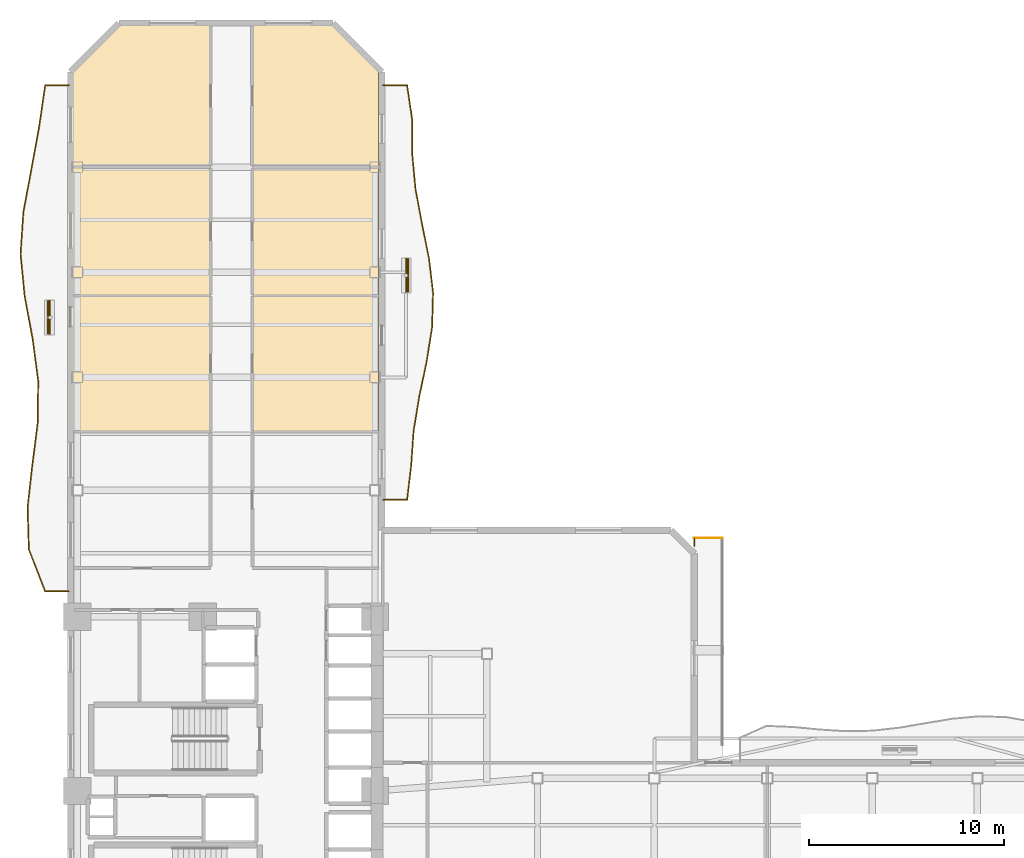
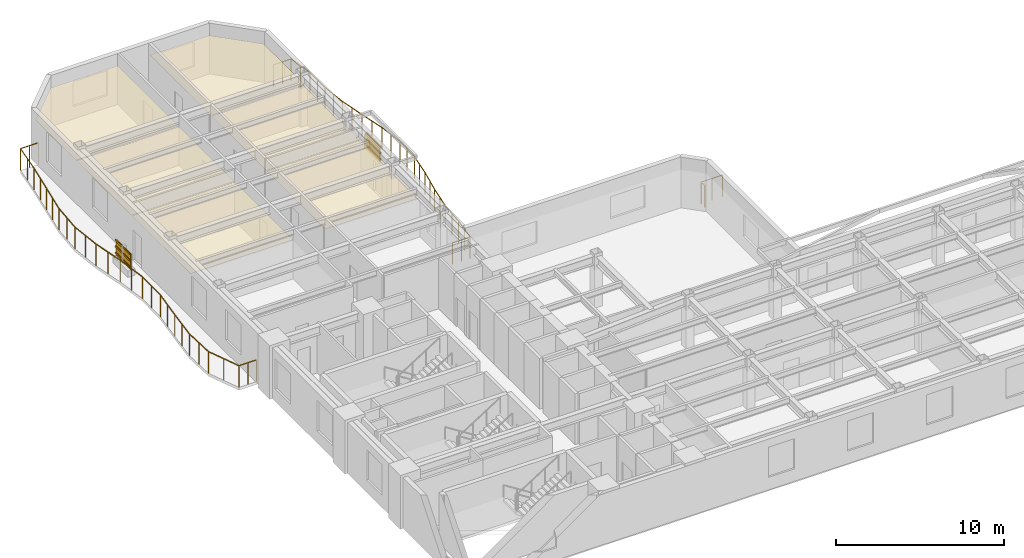
# One storey, part 10 of 10: 8 shading devices, 6 coverings, 4 railings.
"""IFC4 building model written with IfcOpenShell, lengths in metres."""

from ifc_helpers import new_model, si_unit, direction, frame, origin, origin_2d, place, context, subcontext, project, spatial, polyline, rectangle, outline, extrude, material, layer, layer_set, material_profile, profile_set, type_object, element, save


model = new_model("IFC4")

# Units and contexts
model_context = context("Model", 3, precision=1e-05, world=origin(), true_north=direction((0.0, 1.0)))
body_context = subcontext(model_context, "Body", "Model", "MODEL_VIEW")
ifc_project = project(units=[si_unit("LENGTHUNIT", "METRE"), si_unit("AREAUNIT", "SQUARE_METRE"), si_unit("VOLUMEUNIT", "CUBIC_METRE"), si_unit("PLANEANGLEUNIT", "RADIAN"), si_unit("MASSUNIT", "GRAM", prefix="KILO")], contexts=[model_context])

# Site, building, storey
site_placement = place(None, origin())
site = spatial("IfcSite", under=ifc_project, at=site_placement, CompositionType="ELEMENT")
building_placement = place(site_placement, origin())
building = spatial("IfcBuilding", under=site, at=building_placement, Name="Mawjaban Terraces University", CompositionType="ELEMENT")
storey_placement = place(building_placement, frame((0.0, 0.0, 42.699951171875)))
storey = spatial("IfcBuildingStorey", under=building, at=storey_placement, Name="L09", CompositionType="ELEMENT", Elevation=42.699951171875)

# Coverings
ifc_material_1 = material(Name="Acoustic mineral fibre ceiling tile", Category="masonry")
ifc_layer_1 = layer(ifc_material_1, 0.02001953125)
ifc_layer_set_1 = layer_set([ifc_layer_1], Name="Acoustic mineral fibre ceiling tile")
covering_type = type_object("IfcCoveringType", Name="AcousticMineralCeiling_20", PredefinedType="CEILING", material=ifc_layer_set_1)
covering_1_placement = place(storey_placement, frame((0.0, 0.0, 2.75)))
element("IfcCovering", 1, at=covering_1_placement, inside=storey, type_object=covering_type, Name="L09 Faculty Office 8 Acoustic Ceiling", PredefinedType="CEILING", context=body_context, shape_type="SweptSolid", body=[
    extrude(outline(polyline([(22.114990234375, 39.969970703125), (22.114990234375, 33.030029296875), (29.169921875, 33.030029296875), (29.169921875, 39.969970703125), (22.114990234375, 39.969970703125)])), origin(), (0.0, 0.0, 1.0), 0.02001953125),
])
covering_2_placement = place(storey_placement, frame((0.0, 0.0, 2.75)))
element("IfcCovering", 2, at=covering_2_placement, inside=storey, type_object=covering_type, Name="L09 Departmental Office 9 Acoustic Ceiling", PredefinedType="CEILING", context=body_context, shape_type="SweptSolid", body=[
    extrude(outline(polyline([(37.820068359375, 33.030029296875), (37.820068359375, 39.969970703125), (31.3798828125, 39.969970703125), (31.3798828125, 33.030029296875), (37.820068359375, 33.030029296875)])), origin(), (0.0, 0.0, 1.0), 0.02001953125),
])
covering_3_placement = place(storey_placement, frame((0.0, 0.0, 2.75)))
element("IfcCovering", 3, at=covering_3_placement, inside=storey, type_object=covering_type, Name="L09 Faculty Office 10 Acoustic Ceiling", PredefinedType="CEILING", context=body_context, shape_type="SweptSolid", body=[
    extrude(outline(polyline([(22.114990234375, 46.570068359375), (22.114990234375, 40.030029296875), (29.169921875, 40.030029296875), (29.169921875, 46.570068359375), (22.114990234375, 46.570068359375)])), origin(), (0.0, 0.0, 1.0), 0.02001953125),
])
covering_4_placement = place(storey_placement, frame((0.0, 0.0, 2.75)))
element("IfcCovering", 4, at=covering_4_placement, inside=storey, type_object=covering_type, Name="L09 Student Tea Pantry 11 Acoustic Ceiling", PredefinedType="CEILING", context=body_context, shape_type="SweptSolid", body=[
    extrude(outline(polyline([(37.820068359375, 40.030029296875), (37.820068359375, 46.570068359375), (31.3798828125, 46.570068359375), (31.3798828125, 40.030029296875), (37.820068359375, 40.030029296875)])), origin(), (0.0, 0.0, 1.0), 0.02001953125),
])
covering_5_placement = place(storey_placement, frame((0.0, 0.0, 2.75)))
element("IfcCovering", 5, at=covering_5_placement, inside=storey, type_object=covering_type, Name="L09 Teaching Laboratory 12 Acoustic Ceiling", PredefinedType="CEILING", context=body_context, shape_type="SweptSolid", body=[
    extrude(outline(polyline([(29.169921875, 53.885009765625), (24.547119140625, 53.885009765625), (22.114990234375, 51.452880859375), (22.114990234375, 46.6298828125), (29.169921875, 46.6298828125), (29.169921875, 53.885009765625)])), origin(), (0.0, 0.0, 1.0), 0.02001953125),
])
covering_6_placement = place(storey_placement, frame((0.0, 0.0, 2.75)))
element("IfcCovering", 6, at=covering_6_placement, inside=storey, type_object=covering_type, Name="L09 Design Studio 13 Acoustic Ceiling", PredefinedType="CEILING", context=body_context, shape_type="SweptSolid", body=[
    extrude(outline(polyline([(37.820068359375, 51.51806640625), (35.452880859375, 53.885009765625), (31.3798828125, 53.885009765625), (31.3798828125, 46.6298828125), (37.820068359375, 46.6298828125), (37.820068359375, 51.51806640625)])), origin(), (0.0, 0.0, 1.0), 0.02001953125),
])

# Railings
ifc_material_2 = material(Name="Galvanised powder-coated steel S355", Category="steel")
railing_type = type_object("IfcRailingType", Name="BalconyBalustrade_1600", PredefinedType="BALUSTRADE", material=ifc_material_2)
railing_1_placement = place(storey_placement, frame((21.919921875, 24.800048828125, 0.0)))
element("IfcRailing", 7, at=railing_1_placement, inside=storey, type_object=railing_type, Name="L09 Balcony Guardrail west", PredefinedType="BALUSTRADE", context=body_context, shape_type="SweptSolid", body=[
    extrude(rectangle(XDim=0.048095703125, YDim=0.048095703125, at=origin_2d()), frame((0.0, 0.0, 1.576171875), z_axis=(-1.0, 0.0, 0.0), x_axis=(0.0, -1.0, 0.0)), (0.0, 0.0, 1.0), 1.219970703125),
    extrude(rectangle(XDim=0.048095703125, YDim=0.048095703125, at=origin_2d()), frame((-1.219970703125, 0.0, 1.576171875), z_axis=(-0.361371301616, 0.932421998007, 0.0), x_axis=(-0.932421998007, -0.361371301616, 0.0)), (0.0, 0.0, 1.0), 2.323974609375),
    extrude(rectangle(XDim=0.048095703125, YDim=0.048095703125, at=origin_2d()), frame((-2.059814453125, 2.1669921875, 1.576171875), z_axis=(-0.029630806995, 0.999560911239, 0.0), x_axis=(-0.999560911239, -0.029630806995, 0.0)), (0.0, 0.0, 1.0), 2.1669921875),
    extrude(rectangle(XDim=0.048095703125, YDim=0.048095703125, at=origin_2d()), frame((-2.1240234375, 4.3330078125, 1.576171875), z_axis=(0.111955077603, 0.993713268805, 0.0), x_axis=(-0.993713268805, 0.111955077603, 0.0)), (0.0, 0.0, 1.0), 2.1806640625),
    extrude(rectangle(XDim=0.048095703125, YDim=0.048095703125, at=origin_2d()), frame((-1.8798828125, 6.5, 1.576171875), z_axis=(0.125850320584, 0.992049241121, 0.0), x_axis=(-0.992049241121, 0.125850320584, 0.0)), (0.0, 0.0, 1.0), 2.184326171875),
    extrude(rectangle(XDim=0.048095703125, YDim=0.048095703125, at=origin_2d()), frame((-1.60498046875, 8.6669921875, 1.576171875), z_axis=(0.011608775861, 0.999932615891, 0.0), x_axis=(-0.999932615891, 0.011608775861, 0.0)), (0.0, 0.0, 1.0), 2.166259765625),
    extrude(rectangle(XDim=0.048095703125, YDim=0.048095703125, at=origin_2d()), frame((-1.579833984375, 10.8330078125, 1.576171875), z_axis=(-0.132661087442, 0.991161458027, 0.0), x_axis=(-0.991161458027, -0.132661087442, 0.0)), (0.0, 0.0, 1.0), 2.186279296875),
    extrude(rectangle(XDim=0.048095703125, YDim=0.048095703125, at=origin_2d()), frame((-1.869873046875, 13.0, 1.576171875), z_axis=(-0.183726837055, 0.982977339182, 0.0), x_axis=(-0.982977339182, -0.183726837055, 0.0)), (0.0, 0.0, 1.0), 2.20458984375),
    extrude(rectangle(XDim=0.048095703125, YDim=0.048095703125, at=origin_2d()), frame((-2.27490234375, 15.1669921875, 1.576171875), z_axis=(-0.097370987251, 0.995248155407, 0.0), x_axis=(-0.995248155407, -0.097370987251, 0.0)), (0.0, 0.0, 1.0), 2.17626953125),
    extrude(rectangle(XDim=0.048095703125, YDim=0.048095703125, at=origin_2d()), frame((-2.48681640625, 17.3330078125, 1.576171875), z_axis=(0.06766788608, 0.99770790174, 0.0), x_axis=(-0.99770790174, 0.06766788608, 0.0)), (0.0, 0.0, 1.0), 2.171875),
    extrude(rectangle(XDim=0.048095703125, YDim=0.048095703125, at=origin_2d()), frame((-2.33984375, 19.5, 1.576171875), z_axis=(0.184154813787, 0.982897250255, 0.0), x_axis=(-0.982897250255, 0.184154813787, 0.0)), (0.0, 0.0, 1.0), 2.20458984375),
    extrude(rectangle(XDim=0.048095703125, YDim=0.048095703125, at=origin_2d()), frame((-1.933837890625, 21.6669921875, 1.576171875), z_axis=(0.179841551957, 0.983695591222, 0.0), x_axis=(-0.983695591222, 0.179841551957, 0.0)), (0.0, 0.0, 1.0), 2.201904296875),
    extrude(rectangle(XDim=0.048095703125, YDim=0.048095703125, at=origin_2d()), frame((-1.537841796875, 23.8330078125, 1.576171875), z_axis=(0.145134557046, 0.989411926526, 0.0), x_axis=(-0.989411926526, 0.145134557046, 0.0)), (0.0, 0.0, 1.0), 2.190185546875),
    extrude(rectangle(XDim=0.048095703125, YDim=0.048095703125, at=origin_2d()), frame((-1.219970703125, 26.0, 1.576171875), z_axis=(1.0, 0.0, 0.0), x_axis=(0.0, 1.0, 0.0)), (0.0, 0.0, 1.0), 1.219970703125),
    extrude(rectangle(XDim=0.0419921875, YDim=0.0419921875, at=origin_2d()), origin(), (0.0, 0.0, 1.0), 1.552001953125),
    extrude(rectangle(XDim=0.0419921875, YDim=0.0419921875, at=origin_2d()), frame((-0.60986328125, 0.0, 0.0)), (0.0, 0.0, 1.0), 1.552001953125),
    extrude(rectangle(XDim=0.0419921875, YDim=0.0419921875, at=origin_2d()), frame((-1.219970703125, 0.0, 0.0)), (0.0, 0.0, 1.0), 1.552001953125),
    extrude(rectangle(XDim=0.0419921875, YDim=0.0419921875, at=origin_2d()), frame((-1.639892578125, 1.08349609375, 0.0)), (0.0, 0.0, 1.0), 1.552001953125),
    extrude(rectangle(XDim=0.0419921875, YDim=0.0419921875, at=origin_2d()), frame((-2.059814453125, 2.1669921875, 0.0)), (0.0, 0.0, 1.0), 1.552001953125),
    extrude(rectangle(XDim=0.0419921875, YDim=0.0419921875, at=origin_2d()), frame((-2.091796875, 3.25, 0.0)), (0.0, 0.0, 1.0), 1.552001953125),
    extrude(rectangle(XDim=0.0419921875, YDim=0.0419921875, at=origin_2d()), frame((-2.1240234375, 4.3330078125, 0.0)), (0.0, 0.0, 1.0), 1.552001953125),
    extrude(rectangle(XDim=0.0419921875, YDim=0.0419921875, at=origin_2d()), frame((-2.001953125, 5.41650390625, 0.0)), (0.0, 0.0, 1.0), 1.552001953125),
    extrude(rectangle(XDim=0.0419921875, YDim=0.0419921875, at=origin_2d()), frame((-1.8798828125, 6.5, 0.0)), (0.0, 0.0, 1.0), 1.552001953125),
    extrude(rectangle(XDim=0.0419921875, YDim=0.0419921875, at=origin_2d()), frame((-1.742431640625, 7.58349609375, 0.0)), (0.0, 0.0, 1.0), 1.552001953125),
    extrude(rectangle(XDim=0.0419921875, YDim=0.0419921875, at=origin_2d()), frame((-1.60498046875, 8.6669921875, 0.0)), (0.0, 0.0, 1.0), 1.552001953125),
    extrude(rectangle(XDim=0.0419921875, YDim=0.0419921875, at=origin_2d()), frame((-1.59228515625, 9.75, 0.0)), (0.0, 0.0, 1.0), 1.552001953125),
    extrude(rectangle(XDim=0.0419921875, YDim=0.0419921875, at=origin_2d()), frame((-1.579833984375, 10.8330078125, 0.0)), (0.0, 0.0, 1.0), 1.552001953125),
    extrude(rectangle(XDim=0.0419921875, YDim=0.0419921875, at=origin_2d()), frame((-1.724853515625, 11.91650390625, 0.0)), (0.0, 0.0, 1.0), 1.552001953125),
    extrude(rectangle(XDim=0.0419921875, YDim=0.0419921875, at=origin_2d()), frame((-1.869873046875, 13.0, 0.0)), (0.0, 0.0, 1.0), 1.552001953125),
    extrude(rectangle(XDim=0.0419921875, YDim=0.0419921875, at=origin_2d()), frame((-2.072265625, 14.08349609375, 0.0)), (0.0, 0.0, 1.0), 1.552001953125),
    extrude(rectangle(XDim=0.0419921875, YDim=0.0419921875, at=origin_2d()), frame((-2.27490234375, 15.1669921875, 0.0)), (0.0, 0.0, 1.0), 1.552001953125),
    extrude(rectangle(XDim=0.0419921875, YDim=0.0419921875, at=origin_2d()), frame((-2.380859375, 16.25, 0.0)), (0.0, 0.0, 1.0), 1.552001953125),
    extrude(rectangle(XDim=0.0419921875, YDim=0.0419921875, at=origin_2d()), frame((-2.48681640625, 17.3330078125, 0.0)), (0.0, 0.0, 1.0), 1.552001953125),
    extrude(rectangle(XDim=0.0419921875, YDim=0.0419921875, at=origin_2d()), frame((-2.413330078125, 18.41650390625, 0.0)), (0.0, 0.0, 1.0), 1.552001953125),
    extrude(rectangle(XDim=0.0419921875, YDim=0.0419921875, at=origin_2d()), frame((-2.33984375, 19.5, 0.0)), (0.0, 0.0, 1.0), 1.552001953125),
    extrude(rectangle(XDim=0.0419921875, YDim=0.0419921875, at=origin_2d()), frame((-2.13671875, 20.58349609375, 0.0)), (0.0, 0.0, 1.0), 1.552001953125),
    extrude(rectangle(XDim=0.0419921875, YDim=0.0419921875, at=origin_2d()), frame((-1.933837890625, 21.6669921875, 0.0)), (0.0, 0.0, 1.0), 1.552001953125),
    extrude(rectangle(XDim=0.0419921875, YDim=0.0419921875, at=origin_2d()), frame((-1.73583984375, 22.75, 0.0)), (0.0, 0.0, 1.0), 1.552001953125),
    extrude(rectangle(XDim=0.0419921875, YDim=0.0419921875, at=origin_2d()), frame((-1.537841796875, 23.8330078125, 0.0)), (0.0, 0.0, 1.0), 1.552001953125),
    extrude(rectangle(XDim=0.0419921875, YDim=0.0419921875, at=origin_2d()), frame((-1.37890625, 24.91650390625, 0.0)), (0.0, 0.0, 1.0), 1.552001953125),
    extrude(rectangle(XDim=0.0419921875, YDim=0.0419921875, at=origin_2d()), frame((-1.219970703125, 26.0, 0.0)), (0.0, 0.0, 1.0), 1.552001953125),
    extrude(rectangle(XDim=0.0419921875, YDim=0.0419921875, at=origin_2d()), frame((-0.60986328125, 26.0, 0.0)), (0.0, 0.0, 1.0), 1.552001953125),
    extrude(rectangle(XDim=0.0419921875, YDim=0.0419921875, at=origin_2d()), frame((0.0, 26.0, 0.0)), (0.0, 0.0, 1.0), 1.552001953125),
])
railing_2_placement = place(storey_placement, frame((38.080078125, 29.5, 0.0)))
element("IfcRailing", 8, at=railing_2_placement, inside=storey, type_object=railing_type, Name="L09 Balcony Guardrail inner_east", PredefinedType="BALUSTRADE", context=body_context, shape_type="SweptSolid", body=[
    extrude(rectangle(XDim=0.048095703125, YDim=0.048095703125, at=origin_2d()), frame((0.0, 0.0, 1.576171875), z_axis=(1.0, 0.0, 0.0), x_axis=(0.0, 1.0, 0.0)), (0.0, 0.0, 1.0), 1.219970703125),
    extrude(rectangle(XDim=0.048095703125, YDim=0.048095703125, at=origin_2d()), frame((1.219970703125, 0.0, 1.576171875), z_axis=(0.118552771619, 0.992947753077, 0.0), x_axis=(-0.992947753077, 0.118552771619, 0.0)), (0.0, 0.0, 1.0), 1.78759765625),
    extrude(rectangle(XDim=0.048095703125, YDim=0.048095703125, at=origin_2d()), frame((1.431884765625, 1.77490234375, 1.576171875), z_axis=(0.069696693738, 0.997568228685, 0.0), x_axis=(-0.997568228685, 0.069696693738, 0.0)), (0.0, 0.0, 1.0), 1.779541015625),
    extrude(rectangle(XDim=0.048095703125, YDim=0.048095703125, at=origin_2d()), frame((1.555908203125, 3.550048828125, 1.576171875), z_axis=(0.163386628369, 0.986562116478, 0.0), x_axis=(-0.986562116478, 0.163386628369, 0.0)), (0.0, 0.0, 1.0), 1.799072265625),
    extrude(rectangle(XDim=0.048095703125, YDim=0.048095703125, at=origin_2d()), frame((1.849853515625, 5.324951171875, 1.576171875), z_axis=(0.206173256706, 0.978515502289, 0.0), x_axis=(-0.978515502289, 0.206173256706, 0.0)), (0.0, 0.0, 1.0), 1.814208984375),
    extrude(rectangle(XDim=0.048095703125, YDim=0.048095703125, at=origin_2d()), frame((2.223876953125, 7.10009765625, 1.576171875), z_axis=(0.156904258579, 0.987613818068, 0.0), x_axis=(-0.987613818068, 0.156904258579, 0.0)), (0.0, 0.0, 1.0), 1.797119140625),
    extrude(rectangle(XDim=0.048095703125, YDim=0.048095703125, at=origin_2d()), frame((2.505859375, 8.875, 1.576171875), z_axis=(0.027087718419, 0.999633060433, 0.0), x_axis=(-0.999633060433, 0.027087718419, 0.0)), (0.0, 0.0, 1.0), 1.775634765625),
    extrude(rectangle(XDim=0.048095703125, YDim=0.048095703125, at=origin_2d()), frame((2.553955078125, 10.64990234375, 1.576171875), z_axis=(-0.117459333823, 0.993077693284, 0.0), x_axis=(-0.993077693284, -0.117459333823, 0.0)), (0.0, 0.0, 1.0), 1.78759765625),
    extrude(rectangle(XDim=0.048095703125, YDim=0.048095703125, at=origin_2d()), frame((2.343994140625, 12.425048828125, 1.576171875), z_axis=(-0.19831941942, 0.980137443362, 0.0), x_axis=(-0.980137443362, -0.19831941942, 0.0)), (0.0, 0.0, 1.0), 1.810791015625),
    extrude(rectangle(XDim=0.048095703125, YDim=0.048095703125, at=origin_2d()), frame((1.98486328125, 14.199951171875, 1.576171875), z_axis=(-0.183855915047, 0.982953204635, 0.0), x_axis=(-0.982953204635, -0.183855915047, 0.0)), (0.0, 0.0, 1.0), 1.805908203125),
    extrude(rectangle(XDim=0.048095703125, YDim=0.048095703125, at=origin_2d()), frame((1.65283203125, 15.97509765625, 1.576171875), z_axis=(-0.093128580658, 0.995654090267, 0.0), x_axis=(-0.995654090267, -0.093128580658, 0.0)), (0.0, 0.0, 1.0), 1.78271484375),
    extrude(rectangle(XDim=0.048095703125, YDim=0.048095703125, at=origin_2d()), frame((1.48681640625, 17.75, 1.576171875), z_axis=(-0.001100411988, 0.999999394547, 0.0), x_axis=(-0.999999394547, -0.001100411988, 0.0)), (0.0, 0.0, 1.0), 1.77490234375),
    extrude(rectangle(XDim=0.048095703125, YDim=0.048095703125, at=origin_2d()), frame((1.48486328125, 19.52490234375, 1.576171875), z_axis=(-0.147588772111, 0.989048812924, 0.0), x_axis=(-0.989048812924, -0.147588772111, 0.0)), (0.0, 0.0, 1.0), 1.794921875),
    extrude(rectangle(XDim=0.048095703125, YDim=0.048095703125, at=origin_2d()), frame((1.219970703125, 21.300048828125, 1.576171875), z_axis=(-1.0, 0.0, 0.0), x_axis=(0.0, -1.0, 0.0)), (0.0, 0.0, 1.0), 1.219970703125),
    extrude(rectangle(XDim=0.0419921875, YDim=0.0419921875, at=origin_2d()), origin(), (0.0, 0.0, 1.0), 1.552001953125),
    extrude(rectangle(XDim=0.0419921875, YDim=0.0419921875, at=origin_2d()), frame((0.60986328125, 0.0, 0.0)), (0.0, 0.0, 1.0), 1.552001953125),
    extrude(rectangle(XDim=0.0419921875, YDim=0.0419921875, at=origin_2d()), frame((1.219970703125, 0.0, 0.0)), (0.0, 0.0, 1.0), 1.552001953125),
    extrude(rectangle(XDim=0.0419921875, YDim=0.0419921875, at=origin_2d()), frame((1.325927734375, 0.887451171875, 0.0)), (0.0, 0.0, 1.0), 1.552001953125),
    extrude(rectangle(XDim=0.0419921875, YDim=0.0419921875, at=origin_2d()), frame((1.431884765625, 1.77490234375, 0.0)), (0.0, 0.0, 1.0), 1.552001953125),
    extrude(rectangle(XDim=0.0419921875, YDim=0.0419921875, at=origin_2d()), frame((1.493896484375, 2.66259765625, 0.0)), (0.0, 0.0, 1.0), 1.552001953125),
    extrude(rectangle(XDim=0.0419921875, YDim=0.0419921875, at=origin_2d()), frame((1.555908203125, 3.550048828125, 0.0)), (0.0, 0.0, 1.0), 1.552001953125),
    extrude(rectangle(XDim=0.0419921875, YDim=0.0419921875, at=origin_2d()), frame((1.702880859375, 4.4375, 0.0)), (0.0, 0.0, 1.0), 1.552001953125),
    extrude(rectangle(XDim=0.0419921875, YDim=0.0419921875, at=origin_2d()), frame((1.849853515625, 5.324951171875, 0.0)), (0.0, 0.0, 1.0), 1.552001953125),
    extrude(rectangle(XDim=0.0419921875, YDim=0.0419921875, at=origin_2d()), frame((2.036865234375, 6.21240234375, 0.0)), (0.0, 0.0, 1.0), 1.552001953125),
    extrude(rectangle(XDim=0.0419921875, YDim=0.0419921875, at=origin_2d()), frame((2.223876953125, 7.10009765625, 0.0)), (0.0, 0.0, 1.0), 1.552001953125),
    extrude(rectangle(XDim=0.0419921875, YDim=0.0419921875, at=origin_2d()), frame((2.36474609375, 7.987548828125, 0.0)), (0.0, 0.0, 1.0), 1.552001953125),
    extrude(rectangle(XDim=0.0419921875, YDim=0.0419921875, at=origin_2d()), frame((2.505859375, 8.875, 0.0)), (0.0, 0.0, 1.0), 1.552001953125),
    extrude(rectangle(XDim=0.0419921875, YDim=0.0419921875, at=origin_2d()), frame((2.52978515625, 9.762451171875, 0.0)), (0.0, 0.0, 1.0), 1.552001953125),
    extrude(rectangle(XDim=0.0419921875, YDim=0.0419921875, at=origin_2d()), frame((2.553955078125, 10.64990234375, 0.0)), (0.0, 0.0, 1.0), 1.552001953125),
    extrude(rectangle(XDim=0.0419921875, YDim=0.0419921875, at=origin_2d()), frame((2.448974609375, 11.53759765625, 0.0)), (0.0, 0.0, 1.0), 1.552001953125),
    extrude(rectangle(XDim=0.0419921875, YDim=0.0419921875, at=origin_2d()), frame((2.343994140625, 12.425048828125, 0.0)), (0.0, 0.0, 1.0), 1.552001953125),
    extrude(rectangle(XDim=0.0419921875, YDim=0.0419921875, at=origin_2d()), frame((2.16455078125, 13.3125, 0.0)), (0.0, 0.0, 1.0), 1.552001953125),
    extrude(rectangle(XDim=0.0419921875, YDim=0.0419921875, at=origin_2d()), frame((1.98486328125, 14.199951171875, 0.0)), (0.0, 0.0, 1.0), 1.552001953125),
    extrude(rectangle(XDim=0.0419921875, YDim=0.0419921875, at=origin_2d()), frame((1.81884765625, 15.08740234375, 0.0)), (0.0, 0.0, 1.0), 1.552001953125),
    extrude(rectangle(XDim=0.0419921875, YDim=0.0419921875, at=origin_2d()), frame((1.65283203125, 15.97509765625, 0.0)), (0.0, 0.0, 1.0), 1.552001953125),
    extrude(rectangle(XDim=0.0419921875, YDim=0.0419921875, at=origin_2d()), frame((1.56982421875, 16.862548828125, 0.0)), (0.0, 0.0, 1.0), 1.552001953125),
    extrude(rectangle(XDim=0.0419921875, YDim=0.0419921875, at=origin_2d()), frame((1.48681640625, 17.75, 0.0)), (0.0, 0.0, 1.0), 1.552001953125),
    extrude(rectangle(XDim=0.0419921875, YDim=0.0419921875, at=origin_2d()), frame((1.48583984375, 18.637451171875, 0.0)), (0.0, 0.0, 1.0), 1.552001953125),
    extrude(rectangle(XDim=0.0419921875, YDim=0.0419921875, at=origin_2d()), frame((1.48486328125, 19.52490234375, 0.0)), (0.0, 0.0, 1.0), 1.552001953125),
    extrude(rectangle(XDim=0.0419921875, YDim=0.0419921875, at=origin_2d()), frame((1.3525390625, 20.41259765625, 0.0)), (0.0, 0.0, 1.0), 1.552001953125),
    extrude(rectangle(XDim=0.0419921875, YDim=0.0419921875, at=origin_2d()), frame((1.219970703125, 21.300048828125, 0.0)), (0.0, 0.0, 1.0), 1.552001953125),
    extrude(rectangle(XDim=0.0419921875, YDim=0.0419921875, at=origin_2d()), frame((0.60986328125, 21.300048828125, 0.0)), (0.0, 0.0, 1.0), 1.552001953125),
    extrude(rectangle(XDim=0.0419921875, YDim=0.0419921875, at=origin_2d()), frame((0.0, 21.300048828125, 0.0)), (0.0, 0.0, 1.0), 1.552001953125),
])
railing_3_placement = place(storey_placement, frame((55.5, 27.547119140625, 0.0)))
element("IfcRailing", 9, at=railing_3_placement, inside=storey, type_object=railing_type, Name="L09 Terrace Guardrail TER-L09-CLIMB.2", PredefinedType="BALUSTRADE", context=body_context, shape_type="SweptSolid", body=[
    extrude(rectangle(XDim=0.048095703125, YDim=0.048095703125, at=origin_2d()), frame((0.0, 0.0, 1.576171875), z_axis=(-1.0, 0.0, 0.0), x_axis=(0.0, -1.0, 0.0)), (0.0, 0.0, 1.0), 1.449951171875),
    extrude(rectangle(XDim=0.0419921875, YDim=0.0419921875, at=origin_2d()), origin(), (0.0, 0.0, 1.0), 1.552001953125),
    extrude(rectangle(XDim=0.0419921875, YDim=0.0419921875, at=origin_2d()), frame((-0.72509765625, 0.0, 0.0)), (0.0, 0.0, 1.0), 1.552001953125),
    extrude(rectangle(XDim=0.0419921875, YDim=0.0419921875, at=origin_2d()), frame((-1.449951171875, 0.0, 0.0)), (0.0, 0.0, 1.0), 1.552001953125),
])
railing_4_placement = place(storey_placement, frame((54.050048828125, 27.547119140625, 0.0)))
element("IfcRailing", 10, at=railing_4_placement, inside=storey, type_object=railing_type, Name="L09 Terrace Guardrail TER-L09-CLIMB.3", PredefinedType="BALUSTRADE", context=body_context, shape_type="SweptSolid", body=[
    extrude(rectangle(XDim=0.048095703125, YDim=0.048095703125, at=origin_2d()), frame((0.0, 0.0, 1.576171875), z_axis=(0.0, -1.0, 0.0), x_axis=(1.0, 0.0, 0.0)), (0.0, 0.0, 1.0), 0.404052734375),
    extrude(rectangle(XDim=0.0419921875, YDim=0.0419921875, at=origin_2d()), origin(), (0.0, 0.0, 1.0), 1.552001953125),
    extrude(rectangle(XDim=0.0419921875, YDim=0.0419921875, at=origin_2d()), frame((0.0, -0.404052734375, 0.0)), (0.0, 0.0, 1.0), 1.552001953125),
])

# Shading devices
ifc_material_3 = material(Name="Glazed architectural terracotta ceramic", Category="masonry")
ifc_material_profile = material_profile(ifc_material_3, rectangle(XDim=0.06494140625, YDim=0.110107421875, at=origin_2d()), Name="TBAG110X65")
ifc_profile_set = profile_set([ifc_material_profile], Name="Glazed architectural terracotta ceramic")
shading_device_type_1 = type_object("IfcShadingDeviceType", Name="TerracottaBaguette_110x65", PredefinedType="USERDEFINED", material=ifc_profile_set)
for number, where, z_axis, x_axis, name in (
    (11, (20.843994140625, 38.032958984375, 0.679931640625), (0.0, 1.0, 0.0), (-1.0, 0.0, 0.0), "L09 Horizontal Terracotta Baguette west.1"),
    (12, (20.843994140625, 38.032958984375, 1.150146484375), (0.0, 1.0, 0.0), (-1.0, 0.0, 0.0), "L09 Horizontal Terracotta Baguette west.2"),
    (13, (20.843994140625, 38.032958984375, 1.6201171875), (0.0, 1.0, 0.0), (-1.0, 0.0, 0.0), "L09 Horizontal Terracotta Baguette west.3"),
    (14, (39.344970703125, 40.18701171875, 0.679931640625), (0.0, 1.0, 0.0), (-1.0, 0.0, 0.0), "L09 Horizontal Terracotta Baguette inner_east.1"),
    (15, (39.344970703125, 40.18701171875, 1.150146484375), (0.0, 1.0, 0.0), (-1.0, 0.0, 0.0), "L09 Horizontal Terracotta Baguette inner_east.2"),
    (16, (39.344970703125, 40.18701171875, 1.6201171875), (0.0, 1.0, 0.0), (-1.0, 0.0, 0.0), "L09 Horizontal Terracotta Baguette inner_east.3"),
):
    element("IfcShadingDevice", number, at=place(storey_placement, frame(where, z_axis=z_axis, x_axis=x_axis)), inside=storey, type_object=shading_device_type_1, Name=name, ObjectType="BAGUETTE", PredefinedType="USERDEFINED", context=body_context, shape_type="SweptSolid", body=[
        extrude(rectangle(XDim=0.06494140625, YDim=0.110107421875, at=origin_2d()), origin(), (0.0, 0.0, 1.0), 1.699951171875),
    ])
ifc_layer_2 = layer(ifc_material_3, 0.080078125)
ifc_layer_set_2 = layer_set([ifc_layer_2], Name="Glazed architectural terracotta ceramic")
shading_device_type_2 = type_object("IfcShadingDeviceType", Name="TerracottaScreen_Perforated", PredefinedType="USERDEFINED", material=ifc_layer_set_2)
for number, where, z_axis, x_axis, name in (
    (17, (20.928955078125, 38.883056640625, 0.440185546875), (0.0, 0.0, 1.0), (0.0, 1.0, 0.0), "L09 Balcony Perforated Terracotta Screen west"),
    (18, (39.260009765625, 41.037109375, 0.440185546875), (0.0, 0.0, 1.0), (0.0, 1.0, 0.0), "L09 Balcony Perforated Terracotta Screen inner_east"),
):
    element("IfcShadingDevice", number, at=place(storey_placement, frame(where, z_axis=z_axis, x_axis=x_axis)), inside=storey, type_object=shading_device_type_2, Name=name, ObjectType="SCREEN", PredefinedType="USERDEFINED", context=body_context, shape_type="SweptSolid", body=[
        extrude(rectangle(XDim=1.75, YDim=0.080078125, at=origin_2d()), origin(), (0.0, 0.0, 1.0), 1.14990234375),
    ])

save(model, "model.ifc")
